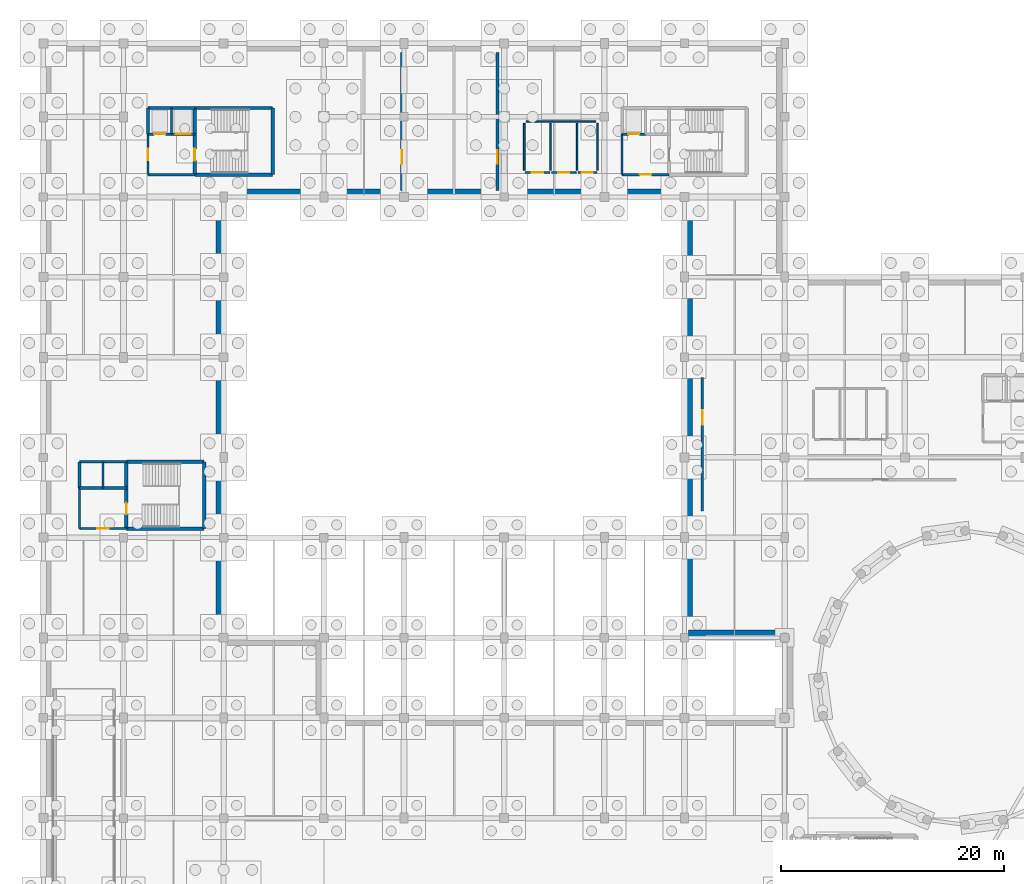
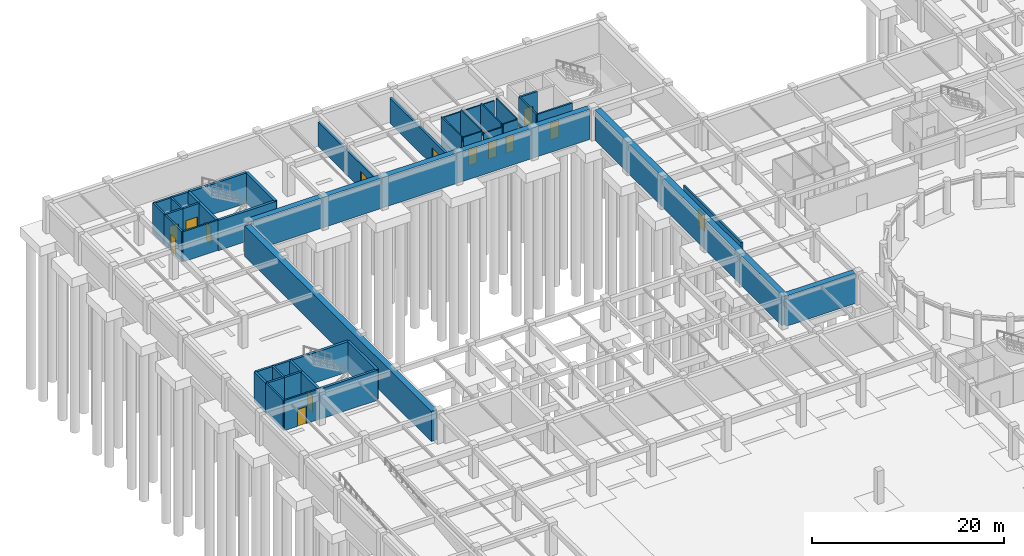
# One storey, part 34 of 42: 40 walls, 14 doors, 14 openings.
"""IFC4 building model written with IfcOpenShell, lengths in metres."""

from ifc_helpers import new_model, si_unit, direction, frame, frame_2d, origin, place, context, subcontext, project, spatial, rectangle, extrude, material, layer, layer_set, type_object, element, fill, save


model = new_model("IFC4")

# Units and contexts
model_context = context("Model", 3, precision=1e-05, world=origin(), true_north=direction((0.0, 1.0)))
body_context = subcontext(model_context, "Body", "Model", "MODEL_VIEW")
ifc_project = project(units=[si_unit("LENGTHUNIT", "METRE"), si_unit("AREAUNIT", "SQUARE_METRE"), si_unit("VOLUMEUNIT", "CUBIC_METRE"), si_unit("PLANEANGLEUNIT", "RADIAN"), si_unit("MASSUNIT", "GRAM", prefix="KILO")], contexts=[model_context])

# Site, building, storey
site_placement = place(None, origin())
site = spatial("IfcSite", under=ifc_project, at=site_placement, CompositionType="ELEMENT")
building_placement = place(site_placement, origin())
building = spatial("IfcBuilding", under=site, at=building_placement, Name="Clarverna Civic Hall", CompositionType="ELEMENT")
storey_placement = place(building_placement, frame((0.0, 0.0, -4.199951171875)))
storey = spatial("IfcBuildingStorey", under=building, at=storey_placement, Name="B01", CompositionType="ELEMENT", Elevation=-4.199951171875)

# Walls
ifc_material_1 = material(Name="Concrete C30/37", Category="concrete")
ifc_layer_1 = layer(ifc_material_1, 0.699951171875)
ifc_layer_set_1 = layer_set([ifc_layer_1], Name="Concrete C30/37")
wall_type_1 = type_object("IfcWallType", Name="DW-01", PredefinedType="SOLIDWALL", material=ifc_layer_set_1)
wall_1_placement = place(storey_placement, frame((66.27490234375, 62.949951171875, 0.0), z_axis=(0.0, 0.0, 1.0), x_axis=(-1.0, 0.0, 0.0)))
element("IfcWall", 1, at=wall_1_placement, inside=storey, type_object=wall_type_1, Name="DW-01-046", PredefinedType="SOLIDWALL", context=body_context, shape_type="SweptSolid", body=[
    extrude(rectangle(XDim=8.324951171875, YDim=0.699951171875, at=frame_2d((4.16259765625, 0.0))), origin(), (0.0, 0.0, 1.0), 3.83984375),
])
wall_2_placement = place(storey_placement, frame((57.949951171875, 62.949951171875, 0.0), z_axis=(0.0, 0.0, 1.0), x_axis=(0.0, 1.0, 0.0)))
element("IfcWall", 2, at=wall_2_placement, inside=storey, type_object=wall_type_1, Name="DW-01-047", PredefinedType="SOLIDWALL", context=body_context, shape_type="SweptSolid", body=[
    extrude(rectangle(XDim=38.900146484375, YDim=0.699951171875, at=frame_2d((19.4501953125, 0.0))), origin(), (0.0, 0.0, 1.0), 3.83984375),
])
wall_3_placement = place(storey_placement, frame((57.25, 102.550048828125, 0.0), z_axis=(0.0, 0.0, 1.0), x_axis=(-1.0, 0.0, 0.0)))
element("IfcWall", 3, at=wall_3_placement, inside=storey, type_object=wall_type_1, Name="DW-01-048", PredefinedType="SOLIDWALL", context=body_context, shape_type="SweptSolid", body=[
    extrude(rectangle(XDim=40.699951171875, YDim=0.699951171875, at=frame_2d((20.35009765625, 0.0))), origin(), (0.0, 0.0, 1.0), 3.83984375),
])
wall_4_placement = place(storey_placement, frame((15.85009765625, 101.85009765625, 0.0), z_axis=(0.0, 0.0, 1.0), x_axis=(0.0, -1.0, 0.0)))
element("IfcWall", 4, at=wall_4_placement, inside=storey, type_object=wall_type_1, Name="DW-01-049", PredefinedType="SOLIDWALL", context=body_context, shape_type="SweptSolid", body=[
    extrude(rectangle(XDim=38.900146484375, YDim=0.699951171875, at=frame_2d((19.4501953125, 0.0))), origin(), (0.0, 0.0, 1.0), 3.83984375),
])
ifc_material_2 = material(Name="Ceramic Brick and Plaster Wet-Room Partition", Category="masonry")
ifc_layer_2 = layer(ifc_material_2, 0.139892578125)
ifc_layer_set_2 = layer_set([ifc_layer_2], Name="Ceramic Brick and Plaster Wet-Room Partition")
wall_type_2 = type_object("IfcWallType", Name="PW-02", PredefinedType="PARTITIONING", material=ifc_layer_set_2)
wall_5_placement = place(storey_placement, frame((43.3798828125, 109.0, 0.0), z_axis=(0.0, 0.0, 1.0), x_axis=(1.0, 0.0, 0.0)))
element("IfcWall", 5, at=wall_5_placement, inside=storey, type_object=wall_type_2, Name="PW-02-113", PredefinedType="PARTITIONING", context=body_context, shape_type="SweptSolid", body=[
    extrude(rectangle(XDim=6.240234375, YDim=0.139892578125, at=frame_2d((3.1201171875, 0.0))), origin(), (0.0, 0.0, 1.0), 3.510009765625),
])
for number, where, z_axis, x_axis, name in (
    (6, (43.199951171875, 104.580078125, 0.0), (0.0, 0.0, 1.0), (0.0, 1.0, 0.0), "PW-02-114"),
    (7, (49.800048828125, 104.580078125, 0.0), (0.0, 0.0, 1.0), (0.0, 1.0, 0.0), "PW-02-115"),
    (8, (45.575927734375, 104.580078125, 0.0), (0.0, 0.0, 1.0), (0.0, 1.0, 0.0), "PW-02-116"),
    (9, (47.951904296875, 104.580078125, 0.0), (0.0, 0.0, 1.0), (0.0, 1.0, 0.0), "PW-02-117"),
):
    element("IfcWall", number, at=place(storey_placement, frame(where, z_axis=z_axis, x_axis=x_axis)), inside=storey, type_object=wall_type_2, Name=name, PredefinedType="PARTITIONING", context=body_context, shape_type="SweptSolid", body=[
        extrude(rectangle(XDim=4.239990234375, YDim=0.139892578125, at=frame_2d((2.1201171875, 0.0))), origin(), (0.0, 0.0, 1.0), 3.83984375),
    ])

# Wall, opening, door
wall_6_placement = place(storey_placement, frame((43.280029296875, 104.39990234375, 0.0), z_axis=(0.0, 0.0, 1.0), x_axis=(1.0, 0.0, 0.0)))
wall_6 = element("IfcWall", 10, at=wall_6_placement, inside=storey, type_object=wall_type_2, Name="PW-02-118", PredefinedType="PARTITIONING", context=body_context, shape_type="SweptSolid", body=[
    extrude(rectangle(XDim=2.216064453125, YDim=0.139892578125, at=frame_2d((1.10791015625, 0.0))), origin(), (0.0, 0.0, 1.0), 3.83984375),
])
opening_1_placement = place(wall_6_placement, frame((0.60791015625, 0.0, 0.0)))
opening_1 = element("IfcOpeningElement", 11, at=opening_1_placement, cuts=wall_6, Name="Opening ID-02", PredefinedType="OPENING", context=body_context, shape_type="SweptSolid", body=[
    extrude(rectangle(XDim=1.0, YDim=2.14990234375, at=frame_2d((0.5, 1.074951171875))), frame((0.0, 0.079833984375, 0.0), z_axis=(0.0, -1.0, 0.0), x_axis=(1.0, 0.0, 0.0)), (0.0, 0.0, 1.0), 0.159912109375),
])
ifc_material_3 = material(Name="European Oak Veneered Acoustic Timber Door", Category="wood")
door_type_1 = type_object("IfcDoorType", Name="ID-02", OperationType="NOTDEFINED", PredefinedType="DOOR", material=ifc_material_3)
door_1_placement = place(opening_1_placement, origin())
door_1 = element("IfcDoor", 12, at=door_1_placement, inside=storey, type_object=door_type_1, Name="ID-02-043", OperationType="SINGLE_SWING_LEFT", OverallHeight=2.14990234375, OverallWidth=1.0, PredefinedType="DOOR", context=body_context, shape_type="SweptSolid", body=[
    extrude(rectangle(XDim=1.0, YDim=2.14990234375, at=frame_2d((0.5, 1.074951171875))), frame((0.0, 0.02490234375, 0.0), z_axis=(0.0, -1.0, 0.0), x_axis=(1.0, 0.0, 0.0)), (0.0, 0.0, 1.0), 0.050048828125),
])
fill(opening_1, door_1)

wall_7_placement = place(storey_placement, frame((45.656005859375, 104.39990234375, 0.0), z_axis=(0.0, 0.0, 1.0), x_axis=(1.0, 0.0, 0.0)))
wall_7 = element("IfcWall", 13, at=wall_7_placement, inside=storey, type_object=wall_type_2, Name="PW-02-119", PredefinedType="PARTITIONING", context=body_context, shape_type="SweptSolid", body=[
    extrude(rectangle(XDim=2.216064453125, YDim=0.139892578125, at=frame_2d((1.10791015625, 0.0))), origin(), (0.0, 0.0, 1.0), 3.510009765625),
])
opening_2_placement = place(wall_7_placement, frame((0.60791015625, 0.0, 0.0)))
opening_2 = element("IfcOpeningElement", 14, at=opening_2_placement, cuts=wall_7, Name="Opening ID-02", PredefinedType="OPENING", context=body_context, shape_type="SweptSolid", body=[
    extrude(rectangle(XDim=1.0, YDim=2.14990234375, at=frame_2d((0.5, 1.074951171875))), frame((0.0, 0.079833984375, 0.0), z_axis=(0.0, -1.0, 0.0), x_axis=(1.0, 0.0, 0.0)), (0.0, 0.0, 1.0), 0.159912109375),
])
door_2_placement = place(opening_2_placement, origin())
door_2 = element("IfcDoor", 15, at=door_2_placement, inside=storey, type_object=door_type_1, Name="ID-02-044", OperationType="SINGLE_SWING_RIGHT", OverallHeight=2.14990234375, OverallWidth=1.0, PredefinedType="DOOR", context=body_context, shape_type="SweptSolid", body=[
    extrude(rectangle(XDim=1.0, YDim=2.14990234375, at=frame_2d((0.5, 1.074951171875))), frame((0.0, 0.02490234375, 0.0), z_axis=(0.0, -1.0, 0.0), x_axis=(1.0, 0.0, 0.0)), (0.0, 0.0, 1.0), 0.050048828125),
])
fill(opening_2, door_2)

wall_8_placement = place(storey_placement, frame((48.031982421875, 104.39990234375, 0.0), z_axis=(0.0, 0.0, 1.0), x_axis=(1.0, 0.0, 0.0)))
wall_8 = element("IfcWall", 16, at=wall_8_placement, inside=storey, type_object=wall_type_2, Name="PW-02-120", PredefinedType="PARTITIONING", context=body_context, shape_type="SweptSolid", body=[
    extrude(rectangle(XDim=1.68798828125, YDim=0.139892578125, at=frame_2d((0.843994140625, 0.0))), origin(), (0.0, 0.0, 1.0), 3.83984375),
])
opening_3_placement = place(wall_8_placement, frame((0.343994140625, 0.0, 0.0)))
opening_3 = element("IfcOpeningElement", 17, at=opening_3_placement, cuts=wall_8, Name="Opening ID-02", PredefinedType="OPENING", context=body_context, shape_type="SweptSolid", body=[
    extrude(rectangle(XDim=1.0, YDim=2.14990234375, at=frame_2d((0.5, 1.074951171875))), frame((0.0, 0.079833984375, 0.0), z_axis=(0.0, -1.0, 0.0), x_axis=(1.0, 0.0, 0.0)), (0.0, 0.0, 1.0), 0.159912109375),
])
door_3_placement = place(opening_3_placement, origin())
door_3 = element("IfcDoor", 18, at=door_3_placement, inside=storey, type_object=door_type_1, Name="ID-02-045", OperationType="SINGLE_SWING_LEFT", OverallHeight=2.14990234375, OverallWidth=1.0, PredefinedType="DOOR", context=body_context, shape_type="SweptSolid", body=[
    extrude(rectangle(XDim=1.0, YDim=2.14990234375, at=frame_2d((0.5, 1.074951171875))), frame((0.0, 0.02490234375, 0.0), z_axis=(0.0, -1.0, 0.0), x_axis=(1.0, 0.0, 0.0)), (0.0, 0.0, 1.0), 0.050048828125),
])
fill(opening_3, door_3)

ifc_material_4 = material(Name="Aerated Concrete Masonry Blockwork", Category="masonry")
ifc_layer_3 = layer(ifc_material_4, 0.219970703125)
ifc_layer_set_3 = layer_set([ifc_layer_3], Name="Aerated Concrete Masonry Blockwork")
wall_type_3 = type_object("IfcWallType", Name="PW-05", PredefinedType="PARTITIONING", material=ifc_layer_set_3)
wall_9_placement = place(storey_placement, frame((59.199951171875, 74.0, 0.0), z_axis=(0.0, 0.0, 1.0), x_axis=(0.0, 1.0, 0.0)))
wall_9 = element("IfcWall", 19, at=wall_9_placement, inside=storey, type_object=wall_type_3, Name="PW-05-003", PredefinedType="PARTITIONING", context=body_context, shape_type="SweptSolid", body=[
    extrude(rectangle(XDim=12.0, YDim=0.219970703125, at=frame_2d((6.0, 0.0))), origin(), (0.0, 0.0, 1.0), 3.33984375),
])
opening_4_placement = place(wall_9_placement, frame((7.75, 0.0, 0.0)))
opening_4 = element("IfcOpeningElement", 20, at=opening_4_placement, cuts=wall_9, Name="Opening FD-05", PredefinedType="OPENING", context=body_context, shape_type="SweptSolid", body=[
    extrude(rectangle(XDim=1.300048828125, YDim=2.14990234375, at=frame_2d((0.64990234375, 1.074951171875))), frame((0.0, 0.119873046875, 0.0), z_axis=(0.0, -1.0, 0.0), x_axis=(1.0, 0.0, 0.0)), (0.0, 0.0, 1.0), 0.239990234375),
])
ifc_material_5 = material(Name="Acoustic Steel Plant Fire Door", Category="steel")
door_type_2 = type_object("IfcDoorType", Name="FD-05", OperationType="NOTDEFINED", PredefinedType="DOOR", material=ifc_material_5)
door_4_placement = place(opening_4_placement, origin())
door_4 = element("IfcDoor", 21, at=door_4_placement, inside=storey, type_object=door_type_2, Name="FD-05-003", OperationType="SINGLE_SWING_RIGHT", OverallHeight=2.14990234375, OverallWidth=1.300048828125, PredefinedType="DOOR", context=body_context, shape_type="SweptSolid", body=[
    extrude(rectangle(XDim=1.300048828125, YDim=2.14990234375, at=frame_2d((0.64990234375, 1.074951171875))), frame((0.0, 0.02490234375, 0.0), z_axis=(0.0, -1.0, 0.0), x_axis=(1.0, 0.0, 0.0)), (0.0, 0.0, 1.0), 0.050048828125),
])
fill(opening_4, door_4)

ifc_material_6 = material(Name="Acoustic Gypsum Plasterboard on Twin Frame", Category="gypsum")
ifc_layer_4 = layer(ifc_material_6, 0.18994140625)
ifc_layer_set_4 = layer_set([ifc_layer_4], Name="Acoustic Gypsum Plasterboard on Twin Frame")
wall_type_4 = type_object("IfcWallType", Name="PW-06", PredefinedType="PARTITIONING", material=ifc_layer_set_4)
wall_10_placement = place(storey_placement, frame((9.39990234375, 104.199951171875, 0.0), z_axis=(0.0, 0.0, 1.0), x_axis=(0.0, 1.0, 0.0)))
wall_10 = element("IfcWall", 22, at=wall_10_placement, inside=storey, type_object=wall_type_4, Name="PW-06-057", PredefinedType="PARTITIONING", context=body_context, shape_type="SweptSolid", body=[
    extrude(rectangle(XDim=3.650146484375, YDim=0.18994140625, at=frame_2d((1.8251953125, 0.0))), origin(), (0.0, 0.0, 1.0), 3.83984375),
])
opening_5_placement = place(wall_10_placement, frame((1.300048828125, 0.0, 0.0)))
opening_5 = element("IfcOpeningElement", 23, at=opening_5_placement, cuts=wall_10, Name="Opening FD-02", PredefinedType="OPENING", context=body_context, shape_type="SweptSolid", body=[
    extrude(rectangle(XDim=1.050048828125, YDim=2.14990234375, at=frame_2d((0.52490234375, 1.074951171875))), frame((0.0, 0.10498046875, 0.0), z_axis=(0.0, -1.0, 0.0), x_axis=(1.0, 0.0, 0.0)), (0.0, 0.0, 1.0), 0.2099609375),
])
ifc_material_7 = material(Name="Acoustic Timber-Faced Fire Door", Category="wood")
door_type_3 = type_object("IfcDoorType", Name="FD-02", OperationType="NOTDEFINED", PredefinedType="DOOR", material=ifc_material_7)
door_5_placement = place(opening_5_placement, origin())
door_5 = element("IfcDoor", 24, at=door_5_placement, inside=storey, type_object=door_type_3, Name="FD-02-054", OperationType="SINGLE_SWING_RIGHT", OverallHeight=2.14990234375, OverallWidth=1.050048828125, PredefinedType="DOOR", context=body_context, shape_type="SweptSolid", body=[
    extrude(rectangle(XDim=1.050048828125, YDim=2.14990234375, at=frame_2d((0.52490234375, 1.074951171875))), frame((0.0, 0.02490234375, 0.0), z_axis=(0.0, -1.0, 0.0), x_axis=(1.0, 0.0, 0.0)), (0.0, 0.0, 1.0), 0.050048828125),
])
fill(opening_5, door_5)

# Walls
wall_11_placement = place(storey_placement, frame((9.39990234375, 104.199951171875, 0.0), z_axis=(0.0, 0.0, 1.0), x_axis=(1.0, 0.0, 0.0)))
element("IfcWall", 25, at=wall_11_placement, inside=storey, type_object=wall_type_4, Name="PW-06-058", PredefinedType="PARTITIONING", context=body_context, shape_type="SweptSolid", body=[
    extrude(rectangle(XDim=4.2001953125, YDim=0.18994140625, at=frame_2d((2.10009765625, 0.0))), origin(), (0.0, 0.0, 1.0), 3.83984375),
])
wall_12_placement = place(storey_placement, frame((52.0, 104.199951171875, 0.0), z_axis=(0.0, 0.0, 1.0), x_axis=(0.0, 1.0, 0.0)))
element("IfcWall", 26, at=wall_12_placement, inside=storey, type_object=wall_type_4, Name="PW-06-103", PredefinedType="PARTITIONING", context=body_context, shape_type="SweptSolid", body=[
    extrude(rectangle(XDim=3.650146484375, YDim=0.18994140625, at=frame_2d((1.8251953125, 0.0))), origin(), (0.0, 0.0, 1.0), 3.83984375),
])

# Wall, opening, door
wall_13_placement = place(storey_placement, frame((52.0, 104.199951171875, 0.0), z_axis=(0.0, 0.0, 1.0), x_axis=(1.0, 0.0, 0.0)))
wall_13 = element("IfcWall", 27, at=wall_13_placement, inside=storey, type_object=wall_type_4, Name="PW-06-104", PredefinedType="PARTITIONING", context=body_context, shape_type="SweptSolid", body=[
    extrude(rectangle(XDim=4.199951171875, YDim=0.18994140625, at=frame_2d((2.10009765625, 0.0))), origin(), (0.0, 0.0, 1.0), 3.83984375),
])
opening_6_placement = place(wall_13_placement, frame((1.574951171875, 0.0, 0.0)))
opening_6 = element("IfcOpeningElement", 28, at=opening_6_placement, cuts=wall_13, Name="Opening FD-02", PredefinedType="OPENING", context=body_context, shape_type="SweptSolid", body=[
    extrude(rectangle(XDim=1.050048828125, YDim=2.14990234375, at=frame_2d((0.52490234375, 1.074951171875))), frame((0.0, 0.10498046875, 0.0), z_axis=(0.0, -1.0, 0.0), x_axis=(1.0, 0.0, 0.0)), (0.0, 0.0, 1.0), 0.2099609375),
])
door_6_placement = place(opening_6_placement, origin())
door_6 = element("IfcDoor", 29, at=door_6_placement, inside=storey, type_object=door_type_3, Name="FD-02-096", OperationType="SINGLE_SWING_RIGHT", OverallHeight=2.14990234375, OverallWidth=1.050048828125, PredefinedType="DOOR", context=body_context, shape_type="SweptSolid", body=[
    extrude(rectangle(XDim=1.050048828125, YDim=2.14990234375, at=frame_2d((0.52490234375, 1.074951171875))), frame((0.0, 0.02490234375, 0.0), z_axis=(0.0, -1.0, 0.0), x_axis=(1.0, 0.0, 0.0)), (0.0, 0.0, 1.0), 0.050048828125),
])
fill(opening_6, door_6)

# Wall
wall_14_placement = place(storey_placement, frame((3.25, 72.39990234375, 0.0), z_axis=(0.0, 0.0, 1.0), x_axis=(0.0, 1.0, 0.0)))
element("IfcWall", 30, at=wall_14_placement, inside=storey, type_object=wall_type_4, Name="PW-06-115", PredefinedType="PARTITIONING", context=body_context, shape_type="SweptSolid", body=[
    extrude(rectangle(XDim=3.650146484375, YDim=0.18994140625, at=frame_2d((1.8251953125, 0.0))), origin(), (0.0, 0.0, 1.0), 3.83984375),
])

# Wall, opening, door
wall_15_placement = place(storey_placement, frame((3.25, 72.39990234375, 0.0), z_axis=(0.0, 0.0, 1.0), x_axis=(1.0, 0.0, 0.0)))
wall_15 = element("IfcWall", 31, at=wall_15_placement, inside=storey, type_object=wall_type_4, Name="PW-06-116", PredefinedType="PARTITIONING", context=body_context, shape_type="SweptSolid", body=[
    extrude(rectangle(XDim=4.199951171875, YDim=0.18994140625, at=frame_2d((2.10009765625, 0.0))), origin(), (0.0, 0.0, 1.0), 3.83984375),
])
opening_7_placement = place(wall_15_placement, frame((1.574951171875, 0.0, 0.0)))
opening_7 = element("IfcOpeningElement", 32, at=opening_7_placement, cuts=wall_15, Name="Opening FD-02", PredefinedType="OPENING", context=body_context, shape_type="SweptSolid", body=[
    extrude(rectangle(XDim=1.050048828125, YDim=2.14990234375, at=frame_2d((0.52490234375, 1.074951171875))), frame((0.0, 0.10498046875, 0.0), z_axis=(0.0, -1.0, 0.0), x_axis=(1.0, 0.0, 0.0)), (0.0, 0.0, 1.0), 0.2099609375),
])
door_7_placement = place(opening_7_placement, origin())
door_7 = element("IfcDoor", 33, at=door_7_placement, inside=storey, type_object=door_type_3, Name="FD-02-107", OperationType="SINGLE_SWING_RIGHT", OverallHeight=2.14990234375, OverallWidth=1.050048828125, PredefinedType="DOOR", context=body_context, shape_type="SweptSolid", body=[
    extrude(rectangle(XDim=1.050048828125, YDim=2.14990234375, at=frame_2d((0.52490234375, 1.074951171875))), frame((0.0, 0.02490234375, 0.0), z_axis=(0.0, -1.0, 0.0), x_axis=(1.0, 0.0, 0.0)), (0.0, 0.0, 1.0), 0.050048828125),
])
fill(opening_7, door_7)

ifc_material_8 = material(Name="Concrete C35/45", Category="concrete")
ifc_layer_5 = layer(ifc_material_8, 0.300048828125)
ifc_layer_set_5 = layer_set([ifc_layer_5], Name="Concrete C35/45")
wall_type_5 = type_object("IfcWallType", Name="SW-03", PredefinedType="SHEAR", material=ifc_layer_set_5)
wall_16_placement = place(storey_placement, frame((13.60009765625, 104.199951171875, 0.0), z_axis=(0.0, 0.0, 1.0), x_axis=(0.0, 1.0, 0.0)))
wall_16 = element("IfcWall", 34, at=wall_16_placement, inside=storey, type_object=wall_type_5, Name="SW-03-001", PredefinedType="SHEAR", context=body_context, shape_type="SweptSolid", body=[
    extrude(rectangle(XDim=6.0, YDim=0.300048828125, at=frame_2d((3.0, 0.0))), origin(), (0.0, 0.0, 1.0), 3.83984375),
])
opening_8_placement = place(wall_16_placement, frame((1.27490234375, 0.0, 0.0)))
opening_8 = element("IfcOpeningElement", 35, at=opening_8_placement, cuts=wall_16, Name="Opening FD-02", PredefinedType="OPENING", context=body_context, shape_type="SweptSolid", body=[
    extrude(rectangle(XDim=1.050048828125, YDim=2.14990234375, at=frame_2d((0.52490234375, 1.074951171875))), frame((0.0, 0.159912109375, 0.0), z_axis=(0.0, -1.0, 0.0), x_axis=(1.0, 0.0, 0.0)), (0.0, 0.0, 1.0), 0.320068359375),
])
door_8_placement = place(opening_8_placement, origin())
door_8 = element("IfcDoor", 36, at=door_8_placement, inside=storey, type_object=door_type_3, Name="FD-02-053", OperationType="SINGLE_SWING_LEFT", OverallHeight=2.14990234375, OverallWidth=1.050048828125, PredefinedType="DOOR", context=body_context, shape_type="SweptSolid", body=[
    extrude(rectangle(XDim=1.050048828125, YDim=2.14990234375, at=frame_2d((0.52490234375, 1.074951171875))), frame((0.0, 0.02490234375, 0.0), z_axis=(0.0, -1.0, 0.0), x_axis=(1.0, 0.0, 0.0)), (0.0, 0.0, 1.0), 0.050048828125),
])
fill(opening_8, door_8)

# Walls
wall_17_placement = place(storey_placement, frame((20.60009765625, 104.199951171875, 0.0), z_axis=(0.0, 0.0, 1.0), x_axis=(0.0, 1.0, 0.0)))
element("IfcWall", 37, at=wall_17_placement, inside=storey, type_object=wall_type_5, Name="SW-03-002", PredefinedType="SHEAR", context=body_context, shape_type="SweptSolid", body=[
    extrude(rectangle(XDim=6.0, YDim=0.300048828125, at=frame_2d((3.0, 0.0))), origin(), (0.0, 0.0, 1.0), 3.83984375),
])
for number, where, z_axis, x_axis, name in (
    (38, (13.60009765625, 104.199951171875, 0.0), (0.0, 0.0, 1.0), (1.0, 0.0, 0.0), "SW-03-003"),
    (39, (13.60009765625, 110.199951171875, 0.0), (0.0, 0.0, 1.0), (1.0, 0.0, 0.0), "SW-03-004"),
):
    element("IfcWall", number, at=place(storey_placement, frame(where, z_axis=z_axis, x_axis=x_axis)), inside=storey, type_object=wall_type_5, Name=name, PredefinedType="SHEAR", context=body_context, shape_type="SweptSolid", body=[
        extrude(rectangle(XDim=7.0, YDim=0.300048828125, at=frame_2d((3.5, 0.0))), origin(), (0.0, 0.0, 1.0), 3.83984375),
    ])
wall_18_placement = place(storey_placement, frame((9.39990234375, 110.199951171875, 0.0), z_axis=(0.0, 0.0, 1.0), x_axis=(1.0, 0.0, 0.0)))
element("IfcWall", 40, at=wall_18_placement, inside=storey, type_object=wall_type_5, Name="SW-03-005", PredefinedType="SHEAR", context=body_context, shape_type="SweptSolid", body=[
    extrude(rectangle(XDim=4.2001953125, YDim=0.239990234375, at=frame_2d((2.10009765625, 0.0))), origin(), (0.0, 0.0, 1.0), 3.83984375),
])
wall_19_placement = place(storey_placement, frame((9.39990234375, 107.85009765625, 0.0), z_axis=(0.0, 0.0, 1.0), x_axis=(0.0, 1.0, 0.0)))
element("IfcWall", 41, at=wall_19_placement, inside=storey, type_object=wall_type_5, Name="SW-03-006", PredefinedType="SHEAR", context=body_context, shape_type="SweptSolid", body=[
    extrude(rectangle(XDim=2.349853515625, YDim=0.239990234375, at=frame_2d((1.1748046875, 0.0))), origin(), (0.0, 0.0, 1.0), 3.83984375),
])
wall_20_placement = place(storey_placement, frame((11.5, 107.85009765625, 0.0), z_axis=(0.0, 0.0, 1.0), x_axis=(0.0, 1.0, 0.0)))
element("IfcWall", 42, at=wall_20_placement, inside=storey, type_object=wall_type_5, Name="SW-03-007", PredefinedType="SHEAR", context=body_context, shape_type="SweptSolid", body=[
    extrude(rectangle(XDim=2.349853515625, YDim=0.199951171875, at=frame_2d((1.1748046875, 0.0))), origin(), (0.0, 0.0, 1.0), 3.83984375),
])

# Wall, opening, door
wall_21_placement = place(storey_placement, frame((9.39990234375, 107.85009765625, 0.0), z_axis=(0.0, 0.0, 1.0), x_axis=(1.0, 0.0, 0.0)))
wall_21 = element("IfcWall", 43, at=wall_21_placement, inside=storey, type_object=wall_type_5, Name="SW-03-008", PredefinedType="SHEAR", context=body_context, shape_type="SweptSolid", body=[
    extrude(rectangle(XDim=2.10009765625, YDim=0.239990234375, at=frame_2d((1.050048828125, 0.0))), origin(), (0.0, 0.0, 1.0), 3.83984375),
])
opening_9_placement = place(wall_21_placement, frame((0.550048828125, 0.0, 0.0)))
opening_9 = element("IfcOpeningElement", 44, at=opening_9_placement, cuts=wall_21, Name="Opening LD-01", PredefinedType="OPENING", context=body_context, shape_type="SweptSolid", body=[
    extrude(rectangle(XDim=1.0, YDim=2.10009765625, at=frame_2d((0.5, 1.050048828125))), frame((0.0, 0.1298828125, 0.0), z_axis=(0.0, -1.0, 0.0), x_axis=(1.0, 0.0, 0.0)), (0.0, 0.0, 1.0), 0.260009765625),
])
ifc_material_9 = material(Name="Brushed Bronze Stainless Lift Landing Door")
door_type_4 = type_object("IfcDoorType", Name="LD-01", OperationType="SLIDING_TO_LEFT", PredefinedType="DOOR", material=ifc_material_9)
door_9_placement = place(opening_9_placement, origin())
door_9 = element("IfcDoor", 45, at=door_9_placement, inside=storey, type_object=door_type_4, Name="LD-01-053", OperationType="SLIDING_TO_LEFT", OverallHeight=2.10009765625, OverallWidth=1.0, PredefinedType="DOOR", context=body_context, shape_type="SweptSolid", body=[
    extrude(rectangle(XDim=1.0, YDim=2.10009765625, at=frame_2d((0.5, 1.050048828125))), frame((0.0, 0.02490234375, 0.0), z_axis=(0.0, -1.0, 0.0), x_axis=(1.0, 0.0, 0.0)), (0.0, 0.0, 1.0), 0.050048828125),
])
fill(opening_9, door_9)

wall_22_placement = place(storey_placement, frame((11.5, 107.85009765625, 0.0), z_axis=(0.0, 0.0, 1.0), x_axis=(1.0, 0.0, 0.0)))
wall_22 = element("IfcWall", 46, at=wall_22_placement, inside=storey, type_object=wall_type_5, Name="SW-03-009", PredefinedType="SHEAR", context=body_context, shape_type="SweptSolid", body=[
    extrude(rectangle(XDim=2.10009765625, YDim=0.239990234375, at=frame_2d((1.050048828125, 0.0))), origin(), (0.0, 0.0, 1.0), 3.83984375),
])
opening_10_placement = place(wall_22_placement, frame((0.375, 0.0, 0.0)))
opening_10 = element("IfcOpeningElement", 47, at=opening_10_placement, cuts=wall_22, Name="Opening LD-02", PredefinedType="OPENING", context=body_context, shape_type="SweptSolid", body=[
    extrude(rectangle(XDim=1.35009765625, YDim=2.199951171875, at=frame_2d((0.675048828125, 1.10009765625))), frame((0.0, 0.1298828125, 0.0), z_axis=(0.0, -1.0, 0.0), x_axis=(1.0, 0.0, 0.0)), (0.0, 0.0, 1.0), 0.260009765625),
])
door_type_5 = type_object("IfcDoorType", Name="LD-02", OperationType="SLIDING_TO_RIGHT", PredefinedType="DOOR", material=ifc_material_9)
door_10_placement = place(opening_10_placement, origin())
door_10 = element("IfcDoor", 48, at=door_10_placement, inside=storey, type_object=door_type_5, Name="LD-02-001", OperationType="SLIDING_TO_RIGHT", OverallHeight=2.199951171875, OverallWidth=1.35009765625, PredefinedType="DOOR", context=body_context, shape_type="SweptSolid", body=[
    extrude(rectangle(XDim=1.35009765625, YDim=2.199951171875, at=frame_2d((0.675048828125, 1.10009765625))), frame((0.0, 0.02490234375, 0.0), z_axis=(0.0, -1.0, 0.0), x_axis=(1.0, 0.0, 0.0)), (0.0, 0.0, 1.0), 0.050048828125),
])
fill(opening_10, door_10)

wall_23_placement = place(storey_placement, frame((52.0, 107.85009765625, 0.0), z_axis=(0.0, 0.0, 1.0), x_axis=(1.0, 0.0, 0.0)))
wall_23 = element("IfcWall", 49, at=wall_23_placement, inside=storey, type_object=wall_type_5, Name="SW-03-215", PredefinedType="SHEAR", context=body_context, shape_type="SweptSolid", body=[
    extrude(rectangle(XDim=2.10009765625, YDim=0.239990234375, at=frame_2d((1.050048828125, 0.0))), origin(), (0.0, 0.0, 1.0), 3.83984375),
])
opening_11_placement = place(wall_23_placement, frame((0.550048828125, 0.0, 0.0)))
opening_11 = element("IfcOpeningElement", 50, at=opening_11_placement, cuts=wall_23, Name="Opening LD-01", PredefinedType="OPENING", context=body_context, shape_type="SweptSolid", body=[
    extrude(rectangle(XDim=1.0, YDim=2.10009765625, at=frame_2d((0.5, 1.050048828125))), frame((0.0, 0.1298828125, 0.0), z_axis=(0.0, -1.0, 0.0), x_axis=(1.0, 0.0, 0.0)), (0.0, 0.0, 1.0), 0.260009765625),
])
door_11_placement = place(opening_11_placement, origin())
door_11 = element("IfcDoor", 51, at=door_11_placement, inside=storey, type_object=door_type_4, Name="LD-01-071", OperationType="SLIDING_TO_LEFT", OverallHeight=2.10009765625, OverallWidth=1.0, PredefinedType="DOOR", context=body_context, shape_type="SweptSolid", body=[
    extrude(rectangle(XDim=1.0, YDim=2.10009765625, at=frame_2d((0.5, 1.050048828125))), frame((0.0, 0.02490234375, 0.0), z_axis=(0.0, -1.0, 0.0), x_axis=(1.0, 0.0, 0.0)), (0.0, 0.0, 1.0), 0.050048828125),
])
fill(opening_11, door_11)

wall_24_placement = place(storey_placement, frame((7.449951171875, 72.39990234375, 0.0), z_axis=(0.0, 0.0, 1.0), x_axis=(0.0, 1.0, 0.0)))
wall_24 = element("IfcWall", 52, at=wall_24_placement, inside=storey, type_object=wall_type_5, Name="SW-03-262", PredefinedType="SHEAR", context=body_context, shape_type="SweptSolid", body=[
    extrude(rectangle(XDim=6.0, YDim=0.300048828125, at=frame_2d((3.0, 0.0))), origin(), (0.0, 0.0, 1.0), 3.83984375),
])
opening_12_placement = place(wall_24_placement, frame((1.27490234375, 0.0, 0.0)))
opening_12 = element("IfcOpeningElement", 53, at=opening_12_placement, cuts=wall_24, Name="Opening FD-02", PredefinedType="OPENING", context=body_context, shape_type="SweptSolid", body=[
    extrude(rectangle(XDim=1.050048828125, YDim=2.14990234375, at=frame_2d((0.52490234375, 1.074951171875))), frame((0.0, 0.159912109375, 0.0), z_axis=(0.0, -1.0, 0.0), x_axis=(1.0, 0.0, 0.0)), (0.0, 0.0, 1.0), 0.320068359375),
])
door_12_placement = place(opening_12_placement, origin())
door_12 = element("IfcDoor", 54, at=door_12_placement, inside=storey, type_object=door_type_3, Name="FD-02-106", OperationType="SINGLE_SWING_LEFT", OverallHeight=2.14990234375, OverallWidth=1.050048828125, PredefinedType="DOOR", context=body_context, shape_type="SweptSolid", body=[
    extrude(rectangle(XDim=1.050048828125, YDim=2.14990234375, at=frame_2d((0.52490234375, 1.074951171875))), frame((0.0, 0.02490234375, 0.0), z_axis=(0.0, -1.0, 0.0), x_axis=(1.0, 0.0, 0.0)), (0.0, 0.0, 1.0), 0.050048828125),
])
fill(opening_12, door_12)

# Walls
wall_25_placement = place(storey_placement, frame((14.449951171875, 72.39990234375, 0.0), z_axis=(0.0, 0.0, 1.0), x_axis=(0.0, 1.0, 0.0)))
element("IfcWall", 55, at=wall_25_placement, inside=storey, type_object=wall_type_5, Name="SW-03-263", PredefinedType="SHEAR", context=body_context, shape_type="SweptSolid", body=[
    extrude(rectangle(XDim=6.0, YDim=0.300048828125, at=frame_2d((3.0, 0.0))), origin(), (0.0, 0.0, 1.0), 3.83984375),
])
for number, where, z_axis, x_axis, name in (
    (56, (7.449951171875, 72.39990234375, 0.0), (0.0, 0.0, 1.0), (1.0, 0.0, 0.0), "SW-03-264"),
    (57, (7.449951171875, 78.39990234375, 0.0), (0.0, 0.0, 1.0), (1.0, 0.0, 0.0), "SW-03-265"),
):
    element("IfcWall", number, at=place(storey_placement, frame(where, z_axis=z_axis, x_axis=x_axis)), inside=storey, type_object=wall_type_5, Name=name, PredefinedType="SHEAR", context=body_context, shape_type="SweptSolid", body=[
        extrude(rectangle(XDim=7.0, YDim=0.300048828125, at=frame_2d((3.5, 0.0))), origin(), (0.0, 0.0, 1.0), 3.83984375),
    ])
wall_26_placement = place(storey_placement, frame((3.25, 78.39990234375, 0.0), z_axis=(0.0, 0.0, 1.0), x_axis=(1.0, 0.0, 0.0)))
element("IfcWall", 58, at=wall_26_placement, inside=storey, type_object=wall_type_5, Name="SW-03-266", PredefinedType="SHEAR", context=body_context, shape_type="SweptSolid", body=[
    extrude(rectangle(XDim=4.199951171875, YDim=0.239990234375, at=frame_2d((2.10009765625, 0.0))), origin(), (0.0, 0.0, 1.0), 3.83984375),
])
wall_27_placement = place(storey_placement, frame((3.25, 76.050048828125, 0.0), z_axis=(0.0, 0.0, 1.0), x_axis=(0.0, 1.0, 0.0)))
element("IfcWall", 59, at=wall_27_placement, inside=storey, type_object=wall_type_5, Name="SW-03-267", PredefinedType="SHEAR", context=body_context, shape_type="SweptSolid", body=[
    extrude(rectangle(XDim=2.349853515625, YDim=0.239990234375, at=frame_2d((1.1748046875, 0.0))), origin(), (0.0, 0.0, 1.0), 3.83984375),
])
wall_28_placement = place(storey_placement, frame((5.35009765625, 76.050048828125, 0.0), z_axis=(0.0, 0.0, 1.0), x_axis=(0.0, 1.0, 0.0)))
element("IfcWall", 60, at=wall_28_placement, inside=storey, type_object=wall_type_5, Name="SW-03-268", PredefinedType="SHEAR", context=body_context, shape_type="SweptSolid", body=[
    extrude(rectangle(XDim=2.349853515625, YDim=0.199951171875, at=frame_2d((1.1748046875, 0.0))), origin(), (0.0, 0.0, 1.0), 3.83984375),
])
wall_29_placement = place(storey_placement, frame((3.25, 76.050048828125, 0.0), z_axis=(0.0, 0.0, 1.0), x_axis=(1.0, 0.0, 0.0)))
element("IfcWall", 61, at=wall_29_placement, inside=storey, type_object=wall_type_5, Name="SW-03-269", PredefinedType="SHEAR", context=body_context, shape_type="SweptSolid", body=[
    extrude(rectangle(XDim=2.10009765625, YDim=0.239990234375, at=frame_2d((1.050048828125, 0.0))), origin(), (0.0, 0.0, 1.0), 3.83984375),
])
wall_30_placement = place(storey_placement, frame((5.35009765625, 76.050048828125, 0.0), z_axis=(0.0, 0.0, 1.0), x_axis=(1.0, 0.0, 0.0)))
element("IfcWall", 62, at=wall_30_placement, inside=storey, type_object=wall_type_5, Name="SW-03-270", PredefinedType="SHEAR", context=body_context, shape_type="SweptSolid", body=[
    extrude(rectangle(XDim=2.099853515625, YDim=0.239990234375, at=frame_2d((1.0498046875, 0.0))), origin(), (0.0, 0.0, 1.0), 3.83984375),
])

# Wall, opening, door
ifc_layer_6 = layer(ifc_material_8, 0.260009765625)
ifc_layer_set_6 = layer_set([ifc_layer_6], Name="Concrete C35/45")
wall_type_6 = type_object("IfcWallType", Name="SW-04", PredefinedType="SOLIDWALL", material=ifc_layer_set_6)
wall_31_placement = place(storey_placement, frame((32.199951171875, 102.800048828125, 0.0), z_axis=(0.0, 0.0, 1.0), x_axis=(0.0, 1.0, 0.0)))
wall_31 = element("IfcWall", 63, at=wall_31_placement, inside=storey, type_object=wall_type_6, Name="SW-04-001", PredefinedType="SOLIDWALL", context=body_context, shape_type="SweptSolid", body=[
    extrude(rectangle(XDim=12.39990234375, YDim=0.260009765625, at=frame_2d((6.199951171875, 0.0))), origin(), (0.0, 0.0, 1.0), 3.139892578125),
])
opening_13_placement = place(wall_31_placement, frame((2.39990234375, 0.0, 0.0)))
opening_13 = element("IfcOpeningElement", 64, at=opening_13_placement, cuts=wall_31, Name="Opening FD-03", PredefinedType="OPENING", context=body_context, shape_type="SweptSolid", body=[
    extrude(rectangle(XDim=1.199951171875, YDim=2.199951171875, at=frame_2d((0.60009765625, 1.10009765625))), frame((0.0, 0.139892578125, 0.0), z_axis=(0.0, -1.0, 0.0), x_axis=(1.0, 0.0, 0.0)), (0.0, 0.0, 1.0), 0.280029296875),
])
ifc_material_10 = material(Name="Heavy Steel-Core Archive Vault Fire Door", Category="steel")
door_type_6 = type_object("IfcDoorType", Name="FD-03", OperationType="NOTDEFINED", PredefinedType="DOOR", material=ifc_material_10)
door_13_placement = place(opening_13_placement, origin())
door_13 = element("IfcDoor", 65, at=door_13_placement, inside=storey, type_object=door_type_6, Name="FD-03-001", OperationType="SINGLE_SWING_RIGHT", OverallHeight=2.199951171875, OverallWidth=1.199951171875, PredefinedType="DOOR", context=body_context, shape_type="SweptSolid", body=[
    extrude(rectangle(XDim=1.199951171875, YDim=2.199951171875, at=frame_2d((0.60009765625, 1.10009765625))), frame((0.0, 0.02490234375, 0.0), z_axis=(0.0, -1.0, 0.0), x_axis=(1.0, 0.0, 0.0)), (0.0, 0.0, 1.0), 0.050048828125),
])
fill(opening_13, door_13)

wall_32_placement = place(storey_placement, frame((40.800048828125, 102.800048828125, 0.0), z_axis=(0.0, 0.0, 1.0), x_axis=(0.0, 1.0, 0.0)))
wall_32 = element("IfcWall", 66, at=wall_32_placement, inside=storey, type_object=wall_type_6, Name="SW-04-002", PredefinedType="SOLIDWALL", context=body_context, shape_type="SweptSolid", body=[
    extrude(rectangle(XDim=12.39990234375, YDim=0.260009765625, at=frame_2d((6.199951171875, 0.0))), origin(), (0.0, 0.0, 1.0), 3.18994140625),
])
opening_14_placement = place(wall_32_placement, frame((2.39990234375, 0.0, 0.0)))
opening_14 = element("IfcOpeningElement", 67, at=opening_14_placement, cuts=wall_32, Name="Opening FD-03", PredefinedType="OPENING", context=body_context, shape_type="SweptSolid", body=[
    extrude(rectangle(XDim=1.199951171875, YDim=2.199951171875, at=frame_2d((0.60009765625, 1.10009765625))), frame((0.0, 0.139892578125, 0.0), z_axis=(0.0, -1.0, 0.0), x_axis=(1.0, 0.0, 0.0)), (0.0, 0.0, 1.0), 0.280029296875),
])
door_14_placement = place(opening_14_placement, origin())
door_14 = element("IfcDoor", 68, at=door_14_placement, inside=storey, type_object=door_type_6, Name="FD-03-002", OperationType="SINGLE_SWING_LEFT", OverallHeight=2.199951171875, OverallWidth=1.199951171875, PredefinedType="DOOR", context=body_context, shape_type="SweptSolid", body=[
    extrude(rectangle(XDim=1.199951171875, YDim=2.199951171875, at=frame_2d((0.60009765625, 1.10009765625))), frame((0.0, 0.02490234375, 0.0), z_axis=(0.0, -1.0, 0.0), x_axis=(1.0, 0.0, 0.0)), (0.0, 0.0, 1.0), 0.050048828125),
])
fill(opening_14, door_14)

save(model, "model.ifc")
